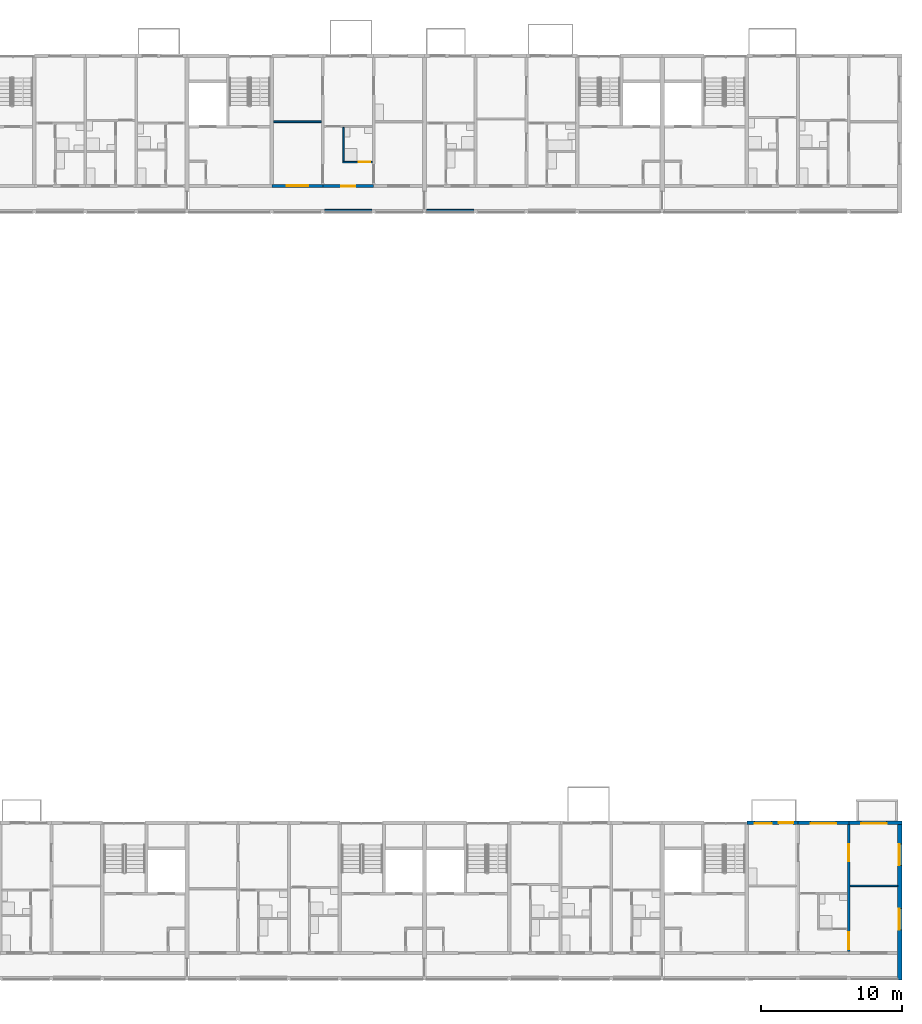
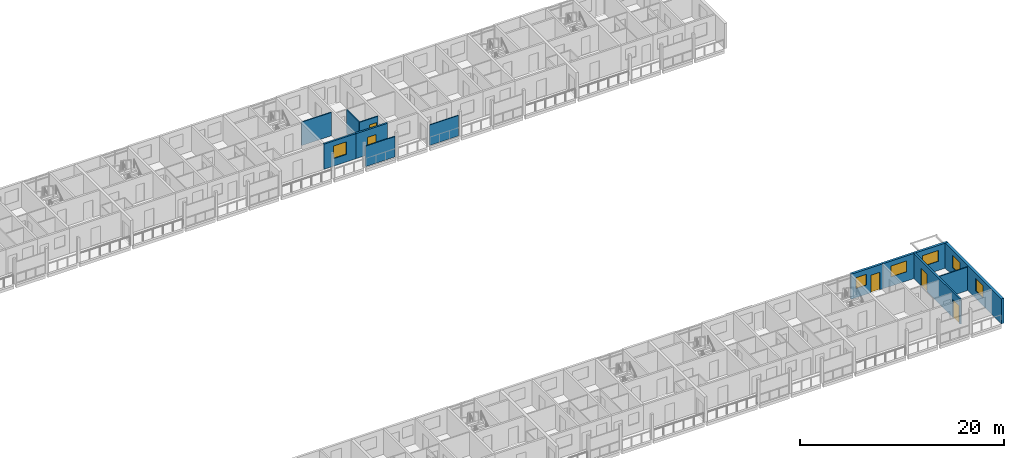
# One storey, part 55 of 93: 13 walls, 6 windows, 5 doors, 11 openings.
"""IFC4 building model written with IfcOpenShell, lengths in metres."""

from ifc_helpers import new_model, si_unit, direction, frame, frame_2d, origin, place, context, subcontext, project, spatial, rectangle, extrude, material, layer, layer_set, type_object, element, fill, save


model = new_model("IFC4")

# Units and contexts
model_context = context("Model", 3, precision=1e-05, world=origin(), true_north=direction((0.0, 1.0)))
body_context = subcontext(model_context, "Body", "Model", "MODEL_VIEW")
ifc_project = project(units=[si_unit("LENGTHUNIT", "METRE"), si_unit("AREAUNIT", "SQUARE_METRE"), si_unit("VOLUMEUNIT", "CUBIC_METRE"), si_unit("PLANEANGLEUNIT", "RADIAN"), si_unit("MASSUNIT", "GRAM", prefix="KILO")], contexts=[model_context])

# Site, building, storey
site_placement = place(None, origin())
site = spatial("IfcSite", under=ifc_project, at=site_placement, CompositionType="ELEMENT")
building_placement = place(site_placement, origin())
building = spatial("IfcBuilding", under=site, at=building_placement, Name="Ridgestep Commons", CompositionType="ELEMENT")
storey_placement = place(building_placement, frame((0.0, 0.0, 18.0)))
storey = spatial("IfcBuildingStorey", under=building, at=storey_placement, Name="L06", CompositionType="ELEMENT", Elevation=18.0)

# Wall, openings, doors
ifc_material_1 = material(Name="Precast concrete C40/50", Category="concrete")
ifc_layer_1 = layer(ifc_material_1, 0.199951171875)
ifc_layer_set_1 = layer_set([ifc_layer_1], Name="Cross wall 200")
wall_type_1 = type_object("IfcWallType", Name="Cross wall 200", PredefinedType="SHEAR", material=ifc_layer_set_1)
wall_1_placement = place(storey_placement, frame((244.0, 13.75, 0.0), z_axis=(0.0, 0.0, 1.0), x_axis=(0.0, 1.0, 0.0)))
wall_1 = element("IfcWall", 1, at=wall_1_placement, inside=storey, type_object=wall_type_1, Name="Cross wall D-06-2440", PredefinedType="SHEAR", context=body_context, shape_type="SweptSolid", body=[
    extrude(rectangle(XDim=9.0, YDim=0.199951171875, at=frame_2d((4.5, 0.0))), origin(), (0.0, 0.0, 1.0), 3.0),
])
opening_1_placement = place(wall_1_placement, frame((0.175048828125, 0.0, 0.0)))
opening_1 = element("IfcOpeningElement", 2, at=opening_1_placement, cuts=wall_1, Name="Opening D6-06a/6", PredefinedType="OPENING", context=body_context, shape_type="SweptSolid", body=[
    extrude(rectangle(XDim=1.199951171875, YDim=2.10009765625, at=frame_2d((0.60009765625, 1.050048828125))), frame((0.0, 0.10986328125, 0.0), z_axis=(0.0, -1.0, 0.0), x_axis=(1.0, 0.0, 0.0)), (0.0, 0.0, 1.0), 0.219970703125),
])
opening_2_placement = place(wall_1_placement, frame((6.39990234375, 0.0, 0.0)))
opening_2 = element("IfcOpeningElement", 3, at=opening_2_placement, cuts=wall_1, Name="Opening D6-06a/7", PredefinedType="OPENING", context=body_context, shape_type="SweptSolid", body=[
    extrude(rectangle(XDim=1.199951171875, YDim=2.10009765625, at=frame_2d((0.60009765625, 1.050048828125))), frame((0.0, 0.10986328125, 0.0), z_axis=(0.0, -1.0, 0.0), x_axis=(1.0, 0.0, 0.0)), (0.0, 0.0, 1.0), 0.219970703125),
])
ifc_material_2 = material(Name="Timber door leaf", Category="wood")
door_type_1 = type_object("IfcDoorType", Name="Double door 1200 x 2100", OperationType="DOUBLE_DOOR_SINGLE_SWING", PredefinedType="DOOR", material=ifc_material_2)
door_1_placement = place(opening_1_placement, origin())
door_1 = element("IfcDoor", 4, at=door_1_placement, inside=storey, type_object=door_type_1, Name="Double door D6-06a/6", OperationType="DOUBLE_DOOR_SINGLE_SWING", OverallHeight=2.10009765625, OverallWidth=1.199951171875, PredefinedType="DOOR", context=body_context, shape_type="SweptSolid", body=[
    extrude(rectangle(XDim=1.199951171875, YDim=2.10009765625, at=frame_2d((0.60009765625, 1.050048828125))), frame((0.0, 0.02490234375, 0.0), z_axis=(0.0, -1.0, 0.0), x_axis=(1.0, 0.0, 0.0)), (0.0, 0.0, 1.0), 0.050048828125),
])
fill(opening_1, door_1)
door_2_placement = place(opening_2_placement, origin())
door_2 = element("IfcDoor", 5, at=door_2_placement, inside=storey, type_object=door_type_1, Name="Double door D6-06a/7", OperationType="DOUBLE_DOOR_SINGLE_SWING", OverallHeight=2.10009765625, OverallWidth=1.199951171875, PredefinedType="DOOR", context=body_context, shape_type="SweptSolid", body=[
    extrude(rectangle(XDim=1.199951171875, YDim=2.10009765625, at=frame_2d((0.60009765625, 1.050048828125))), frame((0.0, 0.02490234375, 0.0), z_axis=(0.0, -1.0, 0.0), x_axis=(1.0, 0.0, 0.0)), (0.0, 0.0, 1.0), 0.050048828125),
])
fill(opening_2, door_2)

# Wall, openings, windows
ifc_material_3 = material(Name="Precast concrete C40/50", Category="concrete")
ifc_layer_2 = layer(ifc_material_3, 0.300048828125)
ifc_layer_set_2 = layer_set([ifc_layer_2], Name="Exposed division wall 300")
wall_type_2 = type_object("IfcWallType", Name="Exposed division wall 300", PredefinedType="SHEAR", material=ifc_layer_set_2)
wall_2_placement = place(storey_placement, frame((247.60009765625, 11.75, 0.0), z_axis=(0.0, 0.0, 1.0), x_axis=(0.0, 1.0, 0.0)))
wall_2 = element("IfcWall", 6, at=wall_2_placement, inside=storey, type_object=wall_type_2, Name="Cross wall D-06-2476", PredefinedType="SHEAR", context=body_context, shape_type="SweptSolid", body=[
    extrude(rectangle(XDim=11.0, YDim=0.300048828125, at=frame_2d((5.5, 0.0))), origin(), (0.0, 0.0, 1.0), 3.0),
])
opening_3_placement = place(wall_2_placement, frame((3.550048828125, 0.0, 0.89990234375)))
opening_3 = element("IfcOpeningElement", 7, at=opening_3_placement, cuts=wall_2, Name="Opening W16", PredefinedType="OPENING", context=body_context, shape_type="SweptSolid", body=[
    extrude(rectangle(XDim=1.5, YDim=1.5, at=frame_2d((0.75, 0.75))), frame((0.0, 0.159912109375, 0.0), z_axis=(0.0, -1.0, 0.0), x_axis=(1.0, 0.0, 0.0)), (0.0, 0.0, 1.0), 0.320068359375),
])
opening_4_placement = place(wall_2_placement, frame((8.10498046875, 0.0, 0.89990234375)))
opening_4 = element("IfcOpeningElement", 8, at=opening_4_placement, cuts=wall_2, Name="Opening W16", PredefinedType="OPENING", context=body_context, shape_type="SweptSolid", body=[
    extrude(rectangle(XDim=1.5, YDim=1.5, at=frame_2d((0.75, 0.75))), frame((0.0, 0.159912109375, 0.0), z_axis=(0.0, -1.0, 0.0), x_axis=(1.0, 0.0, 0.0)), (0.0, 0.0, 1.0), 0.320068359375),
])
ifc_material_4 = material(Name="Aluminium 6063-T6 and glass", Category="aluminium")
window_type_1 = type_object("IfcWindowType", Name="Flat window 1500 x 1500", PartitioningType="DOUBLE_PANEL_VERTICAL", PredefinedType="WINDOW", material=ifc_material_4)
window_1_placement = place(opening_3_placement, origin())
window_1 = element("IfcWindow", 9, at=window_1_placement, inside=storey, type_object=window_type_1, Name="Window D6-06a 6", OverallHeight=1.5, OverallWidth=1.5, PartitioningType="SINGLE_PANEL", PredefinedType="WINDOW", context=body_context, shape_type="SweptSolid", body=[
    extrude(rectangle(XDim=1.5, YDim=1.5, at=frame_2d((0.75, 0.75))), frame((0.0, 0.06005859375, 0.0), z_axis=(0.0, -1.0, 0.0), x_axis=(1.0, 0.0, 0.0)), (0.0, 0.0, 1.0), 0.06005859375),
])
fill(opening_3, window_1)
window_2_placement = place(opening_4_placement, origin())
window_2 = element("IfcWindow", 10, at=window_2_placement, inside=storey, type_object=window_type_1, Name="Window D6-06a 7", OverallHeight=1.5, OverallWidth=1.5, PartitioningType="SINGLE_PANEL", PredefinedType="WINDOW", context=body_context, shape_type="SweptSolid", body=[
    extrude(rectangle(XDim=1.5, YDim=1.5, at=frame_2d((0.75, 0.75))), frame((0.0, 0.06005859375, 0.0), z_axis=(0.0, -1.0, 0.0), x_axis=(1.0, 0.0, 0.0)), (0.0, 0.0, 1.0), 0.06005859375),
])
fill(opening_4, window_2)

# Wall, openings, door, window
ifc_material_5 = material(Name="Precast concrete C40/50", Category="concrete")
ifc_layer_3 = layer(ifc_material_5, 0.25)
ifc_layer_set_3 = layer_set([ifc_layer_3], Name="North facade panel 250")
wall_type_3 = type_object("IfcWallType", Name="North facade panel 250", PredefinedType="SOLIDWALL", material=ifc_layer_set_3)
wall_3_placement = place(storey_placement, frame((236.800048828125, 22.875, 0.0), z_axis=(0.0, 0.0, 1.0), x_axis=(1.0, 0.0, 0.0)))
wall_3 = element("IfcWall", 11, at=wall_3_placement, inside=storey, type_object=wall_type_3, Name="North panel D6T3 L06", PredefinedType="SOLIDWALL", context=body_context, shape_type="SweptSolid", body=[
    extrude(rectangle(XDim=3.599853515625, YDim=0.25, at=frame_2d((1.7998046875, 0.0))), origin(), (0.0, 0.0, 1.0), 3.0),
])
opening_5_placement = place(wall_3_placement, frame((0.54150390625, 0.0, 1.10009765625)))
opening_5 = element("IfcOpeningElement", 12, at=opening_5_placement, cuts=wall_3, Name="Opening W08", PredefinedType="OPENING", context=body_context, shape_type="SweptSolid", body=[
    extrude(rectangle(XDim=1.199951171875, YDim=1.300048828125, at=frame_2d((0.60009765625, 0.64990234375))), frame((0.0, 0.135009765625, 0.0), z_axis=(0.0, -1.0, 0.0), x_axis=(1.0, 0.0, 0.0)), (0.0, 0.0, 1.0), 0.27001953125),
])
opening_6_placement = place(wall_3_placement, frame((2.258056640625, 0.0, 0.0)))
opening_6 = element("IfcOpeningElement", 13, at=opening_6_placement, cuts=wall_3, Name="Opening D6-06a/8", PredefinedType="OPENING", context=body_context, shape_type="SweptSolid", body=[
    extrude(rectangle(XDim=1.0, YDim=2.10009765625, at=frame_2d((0.5, 1.050048828125))), frame((0.0, 0.135009765625, 0.0), z_axis=(0.0, -1.0, 0.0), x_axis=(1.0, 0.0, 0.0)), (0.0, 0.0, 1.0), 0.27001953125),
])
ifc_material_6 = material(Name="Aluminium and glass", Category="aluminium")
door_type_2 = type_object("IfcDoorType", Name="Balcony door 1000 x 2100", OperationType="NOTDEFINED", PredefinedType="DOOR", material=ifc_material_6)
door_3_placement = place(opening_6_placement, origin())
door_3 = element("IfcDoor", 14, at=door_3_placement, inside=storey, type_object=door_type_2, Name="Balcony door D6-06a/8", OperationType="SINGLE_SWING_LEFT", OverallHeight=2.10009765625, OverallWidth=1.0, PredefinedType="DOOR", context=body_context, shape_type="SweptSolid", body=[
    extrude(rectangle(XDim=1.0, YDim=2.10009765625, at=frame_2d((0.5, 1.050048828125))), frame((0.0, 0.02490234375, 0.0), z_axis=(0.0, -1.0, 0.0), x_axis=(1.0, 0.0, 0.0)), (0.0, 0.0, 1.0), 0.050048828125),
])
fill(opening_6, door_3)
ifc_material_7 = material(Name="Aluminium 6063-T6 and glass", Category="aluminium")
window_type_2 = type_object("IfcWindowType", Name="Flat window 1200 x 1300", PartitioningType="SINGLE_PANEL", PredefinedType="WINDOW", material=ifc_material_7)
window_3_placement = place(opening_5_placement, origin())
window_3 = element("IfcWindow", 15, at=window_3_placement, inside=storey, type_object=window_type_2, Name="Window D6-06a 2", OverallHeight=1.300048828125, OverallWidth=1.199951171875, PartitioningType="SINGLE_PANEL", PredefinedType="WINDOW", context=body_context, shape_type="SweptSolid", body=[
    extrude(rectangle(XDim=1.199951171875, YDim=1.300048828125, at=frame_2d((0.60009765625, 0.64990234375))), frame((0.0, -0.02490234375, 0.0), z_axis=(0.0, -1.0, 0.0), x_axis=(1.0, 0.0, 0.0)), (0.0, 0.0, 1.0), 0.06005859375),
])
fill(opening_5, window_3)

# Wall, opening, window
wall_4_placement = place(storey_placement, frame((240.39990234375, 22.875, 0.0), z_axis=(0.0, 0.0, 1.0), x_axis=(1.0, 0.0, 0.0)))
wall_4 = element("IfcWall", 16, at=wall_4_placement, inside=storey, type_object=wall_type_3, Name="North panel D6T2 L06", PredefinedType="SOLIDWALL", context=body_context, shape_type="SweptSolid", body=[
    extrude(rectangle(XDim=3.60009765625, YDim=0.25, at=frame_2d((1.800048828125, 0.0))), origin(), (0.0, 0.0, 1.0), 3.0),
])
opening_7_placement = place(wall_4_placement, frame((0.89990234375, 0.0, 1.10009765625)))
opening_7 = element("IfcOpeningElement", 17, at=opening_7_placement, cuts=wall_4, Name="Opening W18", PredefinedType="OPENING", context=body_context, shape_type="SweptSolid", body=[
    extrude(rectangle(XDim=1.800048828125, YDim=1.300048828125, at=frame_2d((0.89990234375, 0.64990234375))), frame((0.0, 0.135009765625, 0.0), z_axis=(0.0, -1.0, 0.0), x_axis=(1.0, 0.0, 0.0)), (0.0, 0.0, 1.0), 0.27001953125),
])
ifc_material_8 = material(Name="Aluminium 6063-T6 and glass", Category="aluminium")
window_type_3 = type_object("IfcWindowType", Name="Flat window 1800 x 1300", PartitioningType="DOUBLE_PANEL_VERTICAL", PredefinedType="WINDOW", material=ifc_material_8)
window_4_placement = place(opening_7_placement, origin())
window_4 = element("IfcWindow", 18, at=window_4_placement, inside=storey, type_object=window_type_3, Name="Window D6-06a 5", OverallHeight=1.300048828125, OverallWidth=1.800048828125, PartitioningType="SINGLE_PANEL", PredefinedType="WINDOW", context=body_context, shape_type="SweptSolid", body=[
    extrude(rectangle(XDim=1.800048828125, YDim=1.300048828125, at=frame_2d((0.89990234375, 0.64990234375))), frame((0.0, -0.02490234375, 0.0), z_axis=(0.0, -1.0, 0.0), x_axis=(1.0, 0.0, 0.0)), (0.0, 0.0, 1.0), 0.06005859375),
])
fill(opening_7, window_4)

wall_5_placement = place(storey_placement, frame((244.0, 22.875, 0.0), z_axis=(0.0, 0.0, 1.0), x_axis=(1.0, 0.0, 0.0)))
wall_5 = element("IfcWall", 19, at=wall_5_placement, inside=storey, type_object=wall_type_3, Name="North panel D6T1 L06", PredefinedType="SOLIDWALL", context=body_context, shape_type="SweptSolid", body=[
    extrude(rectangle(XDim=3.75, YDim=0.25, at=frame_2d((1.875, 0.0))), origin(), (0.0, 0.0, 1.0), 3.0),
])
opening_8_placement = place(wall_5_placement, frame((0.875, 0.0, 1.10009765625)))
opening_8 = element("IfcOpeningElement", 20, at=opening_8_placement, cuts=wall_5, Name="Opening W18", PredefinedType="OPENING", context=body_context, shape_type="SweptSolid", body=[
    extrude(rectangle(XDim=1.800048828125, YDim=1.300048828125, at=frame_2d((0.89990234375, 0.64990234375))), frame((0.0, 0.135009765625, 0.0), z_axis=(0.0, -1.0, 0.0), x_axis=(1.0, 0.0, 0.0)), (0.0, 0.0, 1.0), 0.27001953125),
])
window_5_placement = place(opening_8_placement, origin())
window_5 = element("IfcWindow", 21, at=window_5_placement, inside=storey, type_object=window_type_3, Name="Window D6-06a 4", OverallHeight=1.300048828125, OverallWidth=1.800048828125, PartitioningType="SINGLE_PANEL", PredefinedType="WINDOW", context=body_context, shape_type="SweptSolid", body=[
    extrude(rectangle(XDim=1.800048828125, YDim=1.300048828125, at=frame_2d((0.89990234375, 0.64990234375))), frame((0.0, -0.02490234375, 0.0), z_axis=(0.0, -1.0, 0.0), x_axis=(1.0, 0.0, 0.0)), (0.0, 0.0, 1.0), 0.06005859375),
])
fill(opening_8, window_5)

# Wall, opening, door
ifc_material_9 = material(Name="Common brick 110 mm", Category="masonry")
ifc_layer_4 = layer(ifc_material_9, 0.110107421875)
ifc_layer_set_4 = layer_set([ifc_layer_4], Name="Partition 110")
wall_type_4 = type_object("IfcWallType", Name="Partition 110", PredefinedType="PARTITIONING", material=ifc_layer_set_4)
wall_6_placement = place(storey_placement, frame((208.199951171875, 69.60498046875, 0.0), z_axis=(0.0, 0.0, 1.0), x_axis=(1.0, 0.0, 0.0)))
wall_6 = element("IfcWall", 22, at=wall_6_placement, inside=storey, type_object=wall_type_4, Name="Partition C4-06a", PredefinedType="PARTITIONING", context=body_context, shape_type="SweptSolid", body=[
    extrude(rectangle(XDim=2.10009765625, YDim=0.110107421875, at=frame_2d((1.050048828125, 0.0))), origin(), (0.0, 0.0, 1.0), 2.800048828125),
])
opening_9_placement = place(wall_6_placement, frame((1.14990234375, 0.0, 0.0)))
opening_9 = element("IfcOpeningElement", 23, at=opening_9_placement, cuts=wall_6, Name="Opening C4-06a/2", PredefinedType="OPENING", context=body_context, shape_type="SweptSolid", body=[
    extrude(rectangle(XDim=0.800048828125, YDim=2.10009765625, at=frame_2d((0.39990234375, 1.050048828125))), frame((0.0, 0.06494140625, 0.0), z_axis=(0.0, -1.0, 0.0), x_axis=(1.0, 0.0, 0.0)), (0.0, 0.0, 1.0), 0.130126953125),
])
ifc_material_10 = material(Name="Timber door leaf", Category="wood")
door_type_3 = type_object("IfcDoorType", Name="Internal door 800 x 2100", OperationType="NOTDEFINED", PredefinedType="DOOR", material=ifc_material_10)
door_4_placement = place(opening_9_placement, origin())
door_4 = element("IfcDoor", 24, at=door_4_placement, inside=storey, type_object=door_type_3, Name="Internal door C4-06a/2", OperationType="SINGLE_SWING_RIGHT", OverallHeight=2.10009765625, OverallWidth=0.800048828125, PredefinedType="DOOR", context=body_context, shape_type="SweptSolid", body=[
    extrude(rectangle(XDim=0.800048828125, YDim=2.10009765625, at=frame_2d((0.39990234375, 1.050048828125))), frame((0.0, 0.02490234375, 0.0), z_axis=(0.0, -1.0, 0.0), x_axis=(1.0, 0.0, 0.0)), (0.0, 0.0, 1.0), 0.050048828125),
])
fill(opening_9, door_4)

# Walls
wall_7_placement = place(storey_placement, frame((208.2548828125, 69.659912109375, 0.0), z_axis=(0.0, 0.0, 1.0), x_axis=(0.0, 1.0, 0.0)))
element("IfcWall", 25, at=wall_7_placement, inside=storey, type_object=wall_type_4, Name="Partition C4-06a", PredefinedType="PARTITIONING", context=body_context, shape_type="SweptSolid", body=[
    extrude(rectangle(XDim=2.400146484375, YDim=0.110107421875, at=frame_2d((1.2001953125, 0.0))), origin(), (0.0, 0.0, 1.0), 2.800048828125),
])
wall_8_placement = place(storey_placement, frame((203.324951171875, 72.455078125, 0.0), z_axis=(0.0, 0.0, 1.0), x_axis=(1.0, 0.0, 0.0)))
element("IfcWall", 26, at=wall_8_placement, inside=storey, type_object=wall_type_4, Name="Partition C4-06a", PredefinedType="PARTITIONING", context=body_context, shape_type="SweptSolid", body=[
    extrude(rectangle(XDim=3.375, YDim=0.110107421875, at=frame_2d((1.6875, 0.0))), origin(), (0.0, 0.0, 1.0), 2.800048828125),
])
wall_9_placement = place(storey_placement, frame((244.10009765625, 18.405029296875, 0.0), z_axis=(0.0, 0.0, 1.0), x_axis=(1.0, 0.0, 0.0)))
element("IfcWall", 27, at=wall_9_placement, inside=storey, type_object=wall_type_4, Name="Partition D6-06a", PredefinedType="PARTITIONING", context=body_context, shape_type="SweptSolid", body=[
    extrude(rectangle(XDim=3.349853515625, YDim=0.110107421875, at=frame_2d((1.6748046875, 0.0))), origin(), (0.0, 0.0, 1.0), 2.800048828125),
])
ifc_material_11 = material(Name="Precast concrete C30/37", Category="concrete")
ifc_layer_5 = layer(ifc_material_11, 0.10009765625)
ifc_layer_set_5 = layer_set([ifc_layer_5], Name="Perforated gallery screen 3325 x 2450 x 100")
wall_type_5 = type_object("IfcWallType", Name="Perforated gallery screen 3325 x 2450 x 100", PredefinedType="SOLIDWALL", material=ifc_layer_set_5)
wall_10_placement = place(storey_placement, frame((214.14990234375, 66.199951171875, 0.0), z_axis=(0.0, 0.0, 1.0), x_axis=(1.0, 0.0, 0.0)))
element("IfcWall", 28, at=wall_10_placement, inside=storey, type_object=wall_type_5, Name="Gallery screen C5T1 06", PredefinedType="SOLIDWALL", context=body_context, shape_type="SweptSolid", body=[
    extrude(rectangle(XDim=3.3251953125, YDim=0.10009765625, at=frame_2d((1.66259765625, 0.0))), origin(), (0.0, 0.0, 1.0), 2.449951171875),
])
ifc_material_12 = material(Name="Precast concrete C30/37", Category="concrete")
ifc_layer_6 = layer(ifc_material_12, 0.10009765625)
ifc_layer_set_6 = layer_set([ifc_layer_6], Name="Perforated gallery screen 3350 x 2450 x 100")
wall_type_6 = type_object("IfcWallType", Name="Perforated gallery screen 3350 x 2450 x 100", PredefinedType="SOLIDWALL", material=ifc_layer_set_6)
wall_11_placement = place(storey_placement, frame((206.925048828125, 66.199951171875, 0.0), z_axis=(0.0, 0.0, 1.0), x_axis=(1.0, 0.0, 0.0)))
element("IfcWall", 29, at=wall_11_placement, inside=storey, type_object=wall_type_6, Name="Gallery screen C4T2 06", PredefinedType="SOLIDWALL", context=body_context, shape_type="SweptSolid", body=[
    extrude(rectangle(XDim=3.349853515625, YDim=0.10009765625, at=frame_2d((1.6748046875, 0.0))), origin(), (0.0, 0.0, 1.0), 2.449951171875),
])

# Wall, opening, window
ifc_material_13 = material(Name="Precast concrete C40/50", Category="concrete")
ifc_layer_7 = layer(ifc_material_13, 0.199951171875)
ifc_layer_set_7 = layer_set([ifc_layer_7], Name="South facade panel 200")
wall_type_7 = type_object("IfcWallType", Name="South facade panel 200", PredefinedType="SOLIDWALL", material=ifc_layer_set_7)
wall_12_placement = place(storey_placement, frame((203.199951171875, 67.89990234375, 0.0), z_axis=(0.0, 0.0, 1.0), x_axis=(1.0, 0.0, 0.0)))
wall_12 = element("IfcWall", 30, at=wall_12_placement, inside=storey, type_object=wall_type_7, Name="South panel C4T3 L06", PredefinedType="SOLIDWALL", context=body_context, shape_type="SweptSolid", body=[
    extrude(rectangle(XDim=3.60009765625, YDim=0.199951171875, at=frame_2d((1.800048828125, 0.0))), origin(), (0.0, 0.0, 1.0), 3.0),
])
opening_10_placement = place(wall_12_placement, frame((1.0625, 0.0, 0.89990234375)))
opening_10 = element("IfcOpeningElement", 31, at=opening_10_placement, cuts=wall_12, Name="Opening W16", PredefinedType="OPENING", context=body_context, shape_type="SweptSolid", body=[
    extrude(rectangle(XDim=1.5, YDim=1.5, at=frame_2d((0.75, 0.75))), frame((0.0, 0.10986328125, 0.0), z_axis=(0.0, -1.0, 0.0), x_axis=(1.0, 0.0, 0.0)), (0.0, 0.0, 1.0), 0.219970703125),
])
window_6_placement = place(opening_10_placement, origin())
window_6 = element("IfcWindow", 32, at=window_6_placement, inside=storey, type_object=window_type_1, Name="Window C4-06a 1", OverallHeight=1.5, OverallWidth=1.5, PartitioningType="SINGLE_PANEL", PredefinedType="WINDOW", context=body_context, shape_type="SweptSolid", body=[
    extrude(rectangle(XDim=1.5, YDim=1.5, at=frame_2d((0.75, 0.75))), frame((0.0, 0.06005859375, 0.0), z_axis=(0.0, -1.0, 0.0), x_axis=(1.0, 0.0, 0.0)), (0.0, 0.0, 1.0), 0.06005859375),
])
fill(opening_10, window_6)

# Wall, opening, door
wall_13_placement = place(storey_placement, frame((206.800048828125, 67.89990234375, 0.0), z_axis=(0.0, 0.0, 1.0), x_axis=(1.0, 0.0, 0.0)))
wall_13 = element("IfcWall", 33, at=wall_13_placement, inside=storey, type_object=wall_type_7, Name="South panel C4T2 L06", PredefinedType="SOLIDWALL", context=body_context, shape_type="SweptSolid", body=[
    extrude(rectangle(XDim=3.599853515625, YDim=0.199951171875, at=frame_2d((1.7998046875, 0.0))), origin(), (0.0, 0.0, 1.0), 3.0),
])
opening_11_placement = place(wall_13_placement, frame((1.300048828125, 0.0, 0.0)))
opening_11 = element("IfcOpeningElement", 34, at=opening_11_placement, cuts=wall_13, Name="Opening C4-06a/1", PredefinedType="OPENING", context=body_context, shape_type="SweptSolid", body=[
    extrude(rectangle(XDim=1.0, YDim=2.10009765625, at=frame_2d((0.5, 1.050048828125))), frame((0.0, 0.10986328125, 0.0), z_axis=(0.0, -1.0, 0.0), x_axis=(1.0, 0.0, 0.0)), (0.0, 0.0, 1.0), 0.219970703125),
])
ifc_material_14 = material(Name="Timber door leaf", Category="wood")
door_type_4 = type_object("IfcDoorType", Name="Flat entrance door 1000 x 2100 FD30S", OperationType="NOTDEFINED", PredefinedType="DOOR", material=ifc_material_14)
door_5_placement = place(opening_11_placement, origin())
door_5 = element("IfcDoor", 35, at=door_5_placement, inside=storey, type_object=door_type_4, Name="Flat entrance door C4-06a/1", OperationType="SINGLE_SWING_LEFT", OverallHeight=2.10009765625, OverallWidth=1.0, PredefinedType="DOOR", context=body_context, shape_type="SweptSolid", body=[
    extrude(rectangle(XDim=1.0, YDim=2.10009765625, at=frame_2d((0.5, 1.050048828125))), frame((0.0, 0.02490234375, 0.0), z_axis=(0.0, -1.0, 0.0), x_axis=(1.0, 0.0, 0.0)), (0.0, 0.0, 1.0), 0.050048828125),
])
fill(opening_11, door_5)

save(model, "model.ifc")
